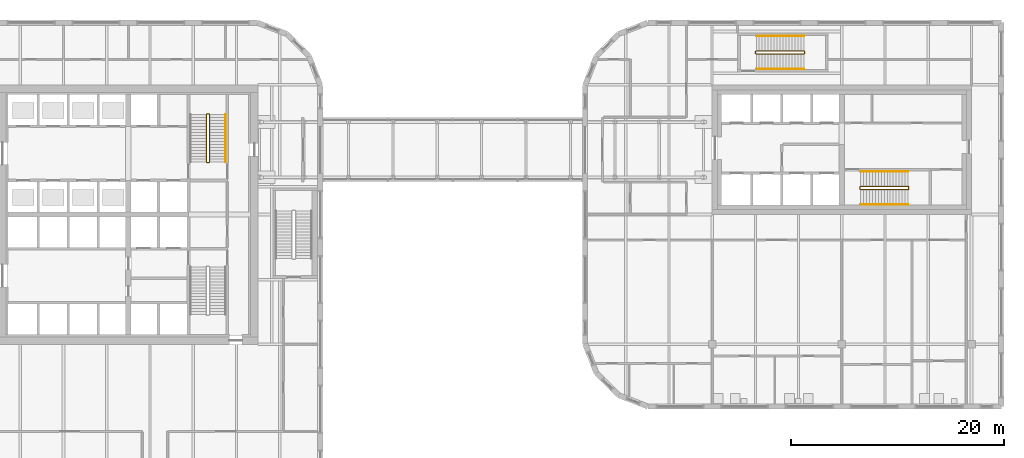
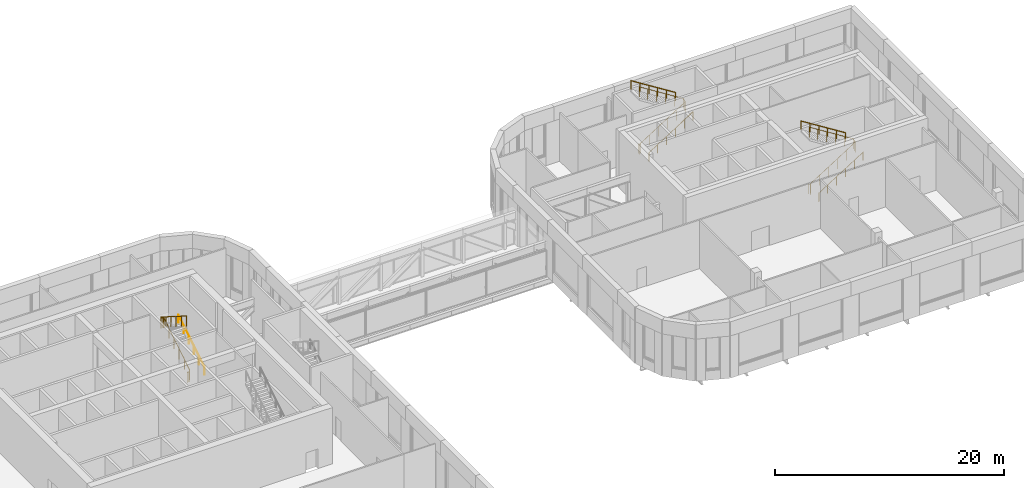
# One storey, part 34 of 36: 8 railings.
"""IFC4 building model written with IfcOpenShell, lengths in metres."""

from ifc_helpers import new_model, si_unit, direction, frame, origin, origin_2d, place, context, subcontext, project, spatial, circle, extrude, material, type_object, element, save


model = new_model("IFC4")

# Units and contexts
model_context = context("Model", 3, precision=1e-05, world=origin(), true_north=direction((0.0, 1.0)))
body_context = subcontext(model_context, "Body", "Model", "MODEL_VIEW")
ifc_project = project(units=[si_unit("LENGTHUNIT", "METRE"), si_unit("AREAUNIT", "SQUARE_METRE"), si_unit("VOLUMEUNIT", "CUBIC_METRE"), si_unit("PLANEANGLEUNIT", "RADIAN"), si_unit("MASSUNIT", "GRAM", prefix="KILO")], contexts=[model_context])

# Site, building, storey
site_placement = place(None, origin())
site = spatial("IfcSite", under=ifc_project, at=site_placement, CompositionType="ELEMENT")
building_placement = place(site_placement, origin())
building = spatial("IfcBuilding", under=site, at=building_placement, Name="Tessera Gate Towers", CompositionType="ELEMENT")
storey_placement = place(building_placement, frame((0.0, 0.0, 106.60009765625)))
storey = spatial("IfcBuildingStorey", under=building, at=storey_placement, Name="L26", CompositionType="ELEMENT", Elevation=106.60009765625)

# Railings
ifc_material_1 = material(Name="Steel 350W", Category="steel")
railing_type_1 = type_object("IfcRailingType", Name="STAIR GUARD 1100", PredefinedType="GUARDRAIL", material=ifc_material_1)
railing_1_placement = place(storey_placement, frame((50.074951171875, 41.47509765625, 0.0)))
element("IfcRailing", 1, at=railing_1_placement, inside=storey, type_object=railing_type_1, Name="L26 ST2 stair guard 1", PredefinedType="GUARDRAIL", context=body_context, shape_type="SweptSolid", body=[
    extrude(circle(Radius=0.02392578125, at=origin_2d()), frame((0.0, 0.0, 1.076171875), z_axis=(1.0, 0.0, 0.0), x_axis=(0.0, 1.0, 0.0)), (0.0, 0.0, 1.0), 0.199951171875),
    extrude(circle(Radius=0.02392578125, at=origin_2d()), frame((0.199951171875, 0.0, 1.076171875), z_axis=(0.263574319836, 0.262288591447, 0.928295897179), x_axis=(-0.705375805398, 0.708833529934, 0.0)), (0.0, 0.0, 1.0), 0.18994140625),
    extrude(circle(Radius=0.02392578125, at=origin_2d()), frame((0.25, 0.0498046875, 1.25244140625), z_axis=(0.0, 0.845977142166, 0.533219162196), x_axis=(-1.0, 0.0, 0.0)), (0.0, 0.0, 1.0), 5.295654296875),
    extrude(circle(Radius=0.02392578125, at=origin_2d()), frame((0.25, 4.52978515625, 4.076171875), z_axis=(-0.707106781187, 0.707106781187, 0.0), x_axis=(-0.707106781187, -0.707106781187, 0.0)), (0.0, 0.0, 1.0), 0.07080078125),
    extrude(circle(Radius=0.02392578125, at=origin_2d()), frame((0.199951171875, 4.579833984375, 4.076171875), z_axis=(-1.0, 0.0, 0.0), x_axis=(0.0, -1.0, 0.0)), (0.0, 0.0, 1.0), 0.199951171875),
    extrude(circle(Radius=0.02392578125, at=origin_2d()), frame((0.0, 4.579833984375, 4.076171875), z_axis=(-0.263485261471, -0.263485261471, 0.927982237963), x_axis=(0.707106781187, -0.707106781187, 0.0)), (0.0, 0.0, 1.0), 0.18994140625),
    extrude(circle(Radius=0.02392578125, at=origin_2d()), frame((-0.050048828125, 4.52978515625, 4.25244140625), z_axis=(0.0, -0.845977142166, 0.533219162196), x_axis=(1.0, 0.0, 0.0)), (0.0, 0.0, 1.0), 5.295654296875),
    extrude(circle(Radius=0.02099609375, at=origin_2d()), origin(), (0.0, 0.0, 1.0), 1.052001953125),
    extrude(circle(Radius=0.02099609375, at=origin_2d()), frame((0.199951171875, 0.0, 0.0)), (0.0, 0.0, 1.0), 1.052001953125),
    extrude(circle(Radius=0.02099609375, at=origin_2d()), frame((0.25, 0.0498046875, 0.17626953125)), (0.0, 0.0, 1.0), 1.052001953125),
    extrude(circle(Radius=0.02099609375, at=origin_2d()), frame((0.25, 0.94580078125, 0.740966796875)), (0.0, 0.0, 1.0), 1.052001953125),
    extrude(circle(Radius=0.02099609375, at=origin_2d()), frame((0.25, 1.841796875, 1.3056640625)), (0.0, 0.0, 1.0), 1.052001953125),
    extrude(circle(Radius=0.02099609375, at=origin_2d()), frame((0.25, 2.73779296875, 1.87060546875)), (0.0, 0.0, 1.0), 1.052001953125),
    extrude(circle(Radius=0.02099609375, at=origin_2d()), frame((0.25, 3.6337890625, 2.435302734375)), (0.0, 0.0, 1.0), 1.052001953125),
    extrude(circle(Radius=0.02099609375, at=origin_2d()), frame((0.25, 4.52978515625, 3.0)), (0.0, 0.0, 1.0), 1.052001953125),
    extrude(circle(Radius=0.02099609375, at=origin_2d()), frame((0.199951171875, 4.579833984375, 3.0)), (0.0, 0.0, 1.0), 1.052001953125),
    extrude(circle(Radius=0.02099609375, at=origin_2d()), frame((0.0, 4.579833984375, 3.0)), (0.0, 0.0, 1.0), 1.052001953125),
    extrude(circle(Radius=0.02099609375, at=origin_2d()), frame((-0.050048828125, 4.52978515625, 3.17626953125)), (0.0, 0.0, 1.0), 1.052001953125),
    extrude(circle(Radius=0.02099609375, at=origin_2d()), frame((-0.050048828125, 3.6337890625, 3.740966796875)), (0.0, 0.0, 1.0), 1.052001953125),
    extrude(circle(Radius=0.02099609375, at=origin_2d()), frame((-0.050048828125, 2.73779296875, 4.3056640625)), (0.0, 0.0, 1.0), 1.052001953125),
    extrude(circle(Radius=0.02099609375, at=origin_2d()), frame((-0.050048828125, 1.841796875, 4.87060546875)), (0.0, 0.0, 1.0), 1.052001953125),
    extrude(circle(Radius=0.02099609375, at=origin_2d()), frame((-0.050048828125, 0.94580078125, 5.435302734375)), (0.0, 0.0, 1.0), 1.052001953125),
    extrude(circle(Radius=0.02099609375, at=origin_2d()), frame((-0.050048828125, 0.0498046875, 6.0)), (0.0, 0.0, 1.0), 1.052001953125),
])
railing_2_placement = place(storey_placement, frame((111.5, 39.199951171875, 0.0)))
element("IfcRailing", 2, at=railing_2_placement, inside=storey, type_object=railing_type_1, Name="L26 ST6 stair guard 1", PredefinedType="GUARDRAIL", context=body_context, shape_type="SweptSolid", body=[
    extrude(circle(Radius=0.02392578125, at=origin_2d()), frame((0.0, 0.0, 1.076171875), z_axis=(0.0, -1.0, 0.0), x_axis=(1.0, 0.0, 0.0)), (0.0, 0.0, 1.0), 0.199951171875),
    extrude(circle(Radius=0.02392578125, at=origin_2d()), frame((0.0, -0.199951171875, 1.076171875), z_axis=(0.263485261471, -0.263485261471, 0.927982237963), x_axis=(0.707106781187, 0.707106781187, 0.0)), (0.0, 0.0, 1.0), 0.18994140625),
    extrude(circle(Radius=0.02392578125, at=origin_2d()), frame((0.050048828125, -0.25, 1.25244140625), z_axis=(0.845977142166, 0.0, 0.533219162196), x_axis=(0.0, 1.0, 0.0)), (0.0, 0.0, 1.0), 5.295654296875),
    extrude(circle(Radius=0.02392578125, at=origin_2d()), frame((4.530029296875, -0.25, 4.076171875), z_axis=(0.707106781187, 0.707106781187, 0.0), x_axis=(-0.707106781187, 0.707106781187, 0.0)), (0.0, 0.0, 1.0), 0.07080078125),
    extrude(circle(Radius=0.02392578125, at=origin_2d()), frame((4.580078125, -0.199951171875, 4.076171875), z_axis=(0.0, 1.0, 0.0), x_axis=(-1.0, 0.0, 0.0)), (0.0, 0.0, 1.0), 0.199951171875),
    extrude(circle(Radius=0.02392578125, at=origin_2d()), frame((4.580078125, 0.0, 4.076171875), z_axis=(-0.263485261471, 0.263485261471, 0.927982237963), x_axis=(-0.707106781187, -0.707106781187, 0.0)), (0.0, 0.0, 1.0), 0.18994140625),
    extrude(circle(Radius=0.02392578125, at=origin_2d()), frame((4.530029296875, 0.050048828125, 4.25244140625), z_axis=(-0.845977142166, 0.0, 0.533219162196), x_axis=(0.0, -1.0, 0.0)), (0.0, 0.0, 1.0), 5.295654296875),
    extrude(circle(Radius=0.02099609375, at=origin_2d()), origin(), (0.0, 0.0, 1.0), 1.052001953125),
    extrude(circle(Radius=0.02099609375, at=origin_2d()), frame((0.0, -0.199951171875, 0.0)), (0.0, 0.0, 1.0), 1.052001953125),
    extrude(circle(Radius=0.02099609375, at=origin_2d()), frame((0.050048828125, -0.25, 0.17626953125)), (0.0, 0.0, 1.0), 1.052001953125),
    extrude(circle(Radius=0.02099609375, at=origin_2d()), frame((0.946044921875, -0.25, 0.740966796875)), (0.0, 0.0, 1.0), 1.052001953125),
    extrude(circle(Radius=0.02099609375, at=origin_2d()), frame((1.842041015625, -0.25, 1.3056640625)), (0.0, 0.0, 1.0), 1.052001953125),
    extrude(circle(Radius=0.02099609375, at=origin_2d()), frame((2.738037109375, -0.25, 1.87060546875)), (0.0, 0.0, 1.0), 1.052001953125),
    extrude(circle(Radius=0.02099609375, at=origin_2d()), frame((3.634033203125, -0.25, 2.435302734375)), (0.0, 0.0, 1.0), 1.052001953125),
    extrude(circle(Radius=0.02099609375, at=origin_2d()), frame((4.530029296875, -0.25, 3.0)), (0.0, 0.0, 1.0), 1.052001953125),
    extrude(circle(Radius=0.02099609375, at=origin_2d()), frame((4.580078125, -0.199951171875, 3.0)), (0.0, 0.0, 1.0), 1.052001953125),
    extrude(circle(Radius=0.02099609375, at=origin_2d()), frame((4.580078125, 0.0, 3.0)), (0.0, 0.0, 1.0), 1.052001953125),
    extrude(circle(Radius=0.02099609375, at=origin_2d()), frame((4.530029296875, 0.050048828125, 3.17626953125)), (0.0, 0.0, 1.0), 1.052001953125),
    extrude(circle(Radius=0.02099609375, at=origin_2d()), frame((3.634033203125, 0.050048828125, 3.740966796875)), (0.0, 0.0, 1.0), 1.052001953125),
    extrude(circle(Radius=0.02099609375, at=origin_2d()), frame((2.738037109375, 0.050048828125, 4.3056640625)), (0.0, 0.0, 1.0), 1.052001953125),
    extrude(circle(Radius=0.02099609375, at=origin_2d()), frame((1.842041015625, 0.050048828125, 4.87060546875)), (0.0, 0.0, 1.0), 1.052001953125),
    extrude(circle(Radius=0.02099609375, at=origin_2d()), frame((0.946044921875, 0.050048828125, 5.435302734375)), (0.0, 0.0, 1.0), 1.052001953125),
    extrude(circle(Radius=0.02099609375, at=origin_2d()), frame((0.050048828125, 0.050048828125, 6.0)), (0.0, 0.0, 1.0), 1.052001953125),
])
railing_3_placement = place(storey_placement, frame((101.699951171875, 51.949951171875, 0.0)))
element("IfcRailing", 3, at=railing_3_placement, inside=storey, type_object=railing_type_1, Name="L26 ST7 stair guard 1", PredefinedType="GUARDRAIL", context=body_context, shape_type="SweptSolid", body=[
    extrude(circle(Radius=0.02392578125, at=origin_2d()), frame((0.0, 0.0, 1.076171875), z_axis=(0.0, -1.0, 0.0), x_axis=(1.0, 0.0, 0.0)), (0.0, 0.0, 1.0), 0.199951171875),
    extrude(circle(Radius=0.02392578125, at=origin_2d()), frame((0.0, -0.199951171875, 1.076171875), z_axis=(0.263485261471, -0.263485261471, 0.927982237963), x_axis=(0.707106781187, 0.707106781187, 0.0)), (0.0, 0.0, 1.0), 0.18994140625),
    extrude(circle(Radius=0.02392578125, at=origin_2d()), frame((0.050048828125, -0.25, 1.25244140625), z_axis=(0.845977142166, 0.0, 0.533219162196), x_axis=(0.0, 1.0, 0.0)), (0.0, 0.0, 1.0), 5.295654296875),
    extrude(circle(Radius=0.02392578125, at=origin_2d()), frame((4.530029296875, -0.25, 4.076171875), z_axis=(0.707106781187, 0.707106781187, 0.0), x_axis=(-0.707106781187, 0.707106781187, 0.0)), (0.0, 0.0, 1.0), 0.07080078125),
    extrude(circle(Radius=0.02392578125, at=origin_2d()), frame((4.580078125, -0.199951171875, 4.076171875), z_axis=(0.0, 1.0, 0.0), x_axis=(-1.0, 0.0, 0.0)), (0.0, 0.0, 1.0), 0.199951171875),
    extrude(circle(Radius=0.02392578125, at=origin_2d()), frame((4.580078125, 0.0, 4.076171875), z_axis=(-0.263485261471, 0.263485261471, 0.927982237963), x_axis=(-0.707106781187, -0.707106781187, 0.0)), (0.0, 0.0, 1.0), 0.18994140625),
    extrude(circle(Radius=0.02392578125, at=origin_2d()), frame((4.530029296875, 0.050048828125, 4.25244140625), z_axis=(-0.845977142166, 0.0, 0.533219162196), x_axis=(0.0, -1.0, 0.0)), (0.0, 0.0, 1.0), 5.295654296875),
    extrude(circle(Radius=0.02099609375, at=origin_2d()), origin(), (0.0, 0.0, 1.0), 1.052001953125),
    extrude(circle(Radius=0.02099609375, at=origin_2d()), frame((0.0, -0.199951171875, 0.0)), (0.0, 0.0, 1.0), 1.052001953125),
    extrude(circle(Radius=0.02099609375, at=origin_2d()), frame((0.050048828125, -0.25, 0.17626953125)), (0.0, 0.0, 1.0), 1.052001953125),
    extrude(circle(Radius=0.02099609375, at=origin_2d()), frame((0.946044921875, -0.25, 0.740966796875)), (0.0, 0.0, 1.0), 1.052001953125),
    extrude(circle(Radius=0.02099609375, at=origin_2d()), frame((1.842041015625, -0.25, 1.3056640625)), (0.0, 0.0, 1.0), 1.052001953125),
    extrude(circle(Radius=0.02099609375, at=origin_2d()), frame((2.738037109375, -0.25, 1.87060546875)), (0.0, 0.0, 1.0), 1.052001953125),
    extrude(circle(Radius=0.02099609375, at=origin_2d()), frame((3.634033203125, -0.25, 2.435302734375)), (0.0, 0.0, 1.0), 1.052001953125),
    extrude(circle(Radius=0.02099609375, at=origin_2d()), frame((4.530029296875, -0.25, 3.0)), (0.0, 0.0, 1.0), 1.052001953125),
    extrude(circle(Radius=0.02099609375, at=origin_2d()), frame((4.580078125, -0.199951171875, 3.0)), (0.0, 0.0, 1.0), 1.052001953125),
    extrude(circle(Radius=0.02099609375, at=origin_2d()), frame((4.580078125, 0.0, 3.0)), (0.0, 0.0, 1.0), 1.052001953125),
    extrude(circle(Radius=0.02099609375, at=origin_2d()), frame((4.530029296875, 0.050048828125, 3.17626953125)), (0.0, 0.0, 1.0), 1.052001953125),
    extrude(circle(Radius=0.02099609375, at=origin_2d()), frame((3.634033203125, 0.050048828125, 3.740966796875)), (0.0, 0.0, 1.0), 1.052001953125),
    extrude(circle(Radius=0.02099609375, at=origin_2d()), frame((2.738037109375, 0.050048828125, 4.3056640625)), (0.0, 0.0, 1.0), 1.052001953125),
    extrude(circle(Radius=0.02099609375, at=origin_2d()), frame((1.842041015625, 0.050048828125, 4.87060546875)), (0.0, 0.0, 1.0), 1.052001953125),
    extrude(circle(Radius=0.02099609375, at=origin_2d()), frame((0.946044921875, 0.050048828125, 5.435302734375)), (0.0, 0.0, 1.0), 1.052001953125),
    extrude(circle(Radius=0.02099609375, at=origin_2d()), frame((0.050048828125, 0.050048828125, 6.0)), (0.0, 0.0, 1.0), 1.052001953125),
])
ifc_material_2 = material(Name="Steel 350W", Category="steel")
railing_type_2 = type_object("IfcRailingType", Name="STAIR HANDRAIL 900", PredefinedType="HANDRAIL", material=ifc_material_2)
railing_4_placement = place(storey_placement, frame((51.824951171875, 41.52490234375, 0.17626953125)))
element("IfcRailing", 4, at=railing_4_placement, inside=storey, type_object=railing_type_2, Name="L26 ST2 stair handrail 1", PredefinedType="HANDRAIL", context=body_context, shape_type="SweptSolid", body=[
    extrude(circle(Radius=0.02392578125, at=origin_2d()), frame((0.0, 0.0, 0.8759765625), z_axis=(0.0, 0.845977142166, 0.533219162196), x_axis=(-1.0, 0.0, 0.0)), (0.0, 0.0, 1.0), 5.295654296875),
    extrude(circle(Radius=0.02099609375, at=origin_2d()), origin(), (0.0, 0.0, 1.0), 0.851806640625),
    extrude(circle(Radius=0.02099609375, at=origin_2d()), frame((0.0, 0.89599609375, 0.564697265625)), (0.0, 0.0, 1.0), 0.851806640625),
    extrude(circle(Radius=0.02099609375, at=origin_2d()), frame((0.0, 1.7919921875, 1.12939453125)), (0.0, 0.0, 1.0), 0.851806640625),
    extrude(circle(Radius=0.02099609375, at=origin_2d()), frame((0.0, 2.68798828125, 1.6943359375)), (0.0, 0.0, 1.0), 0.851806640625),
    extrude(circle(Radius=0.02099609375, at=origin_2d()), frame((0.0, 3.583984375, 2.259033203125)), (0.0, 0.0, 1.0), 0.851806640625),
    extrude(circle(Radius=0.02099609375, at=origin_2d()), frame((0.0, 4.47998046875, 2.82373046875)), (0.0, 0.0, 1.0), 0.851806640625),
])
railing_5_placement = place(storey_placement, frame((111.550048828125, 37.550048828125, 0.17626953125)))
element("IfcRailing", 5, at=railing_5_placement, inside=storey, type_object=railing_type_2, Name="L26 ST6 stair handrail 1", PredefinedType="HANDRAIL", context=body_context, shape_type="SweptSolid", body=[
    extrude(circle(Radius=0.02392578125, at=origin_2d()), frame((0.0, 0.0, 0.8759765625), z_axis=(0.845977142166, 0.0, 0.533219162196), x_axis=(0.0, 1.0, 0.0)), (0.0, 0.0, 1.0), 5.295654296875),
    extrude(circle(Radius=0.02099609375, at=origin_2d()), origin(), (0.0, 0.0, 1.0), 0.851806640625),
    extrude(circle(Radius=0.02099609375, at=origin_2d()), frame((0.89599609375, 0.0, 0.564697265625)), (0.0, 0.0, 1.0), 0.851806640625),
    extrude(circle(Radius=0.02099609375, at=origin_2d()), frame((1.7919921875, 0.0, 1.12939453125)), (0.0, 0.0, 1.0), 0.851806640625),
    extrude(circle(Radius=0.02099609375, at=origin_2d()), frame((2.68798828125, 0.0, 1.6943359375)), (0.0, 0.0, 1.0), 0.851806640625),
    extrude(circle(Radius=0.02099609375, at=origin_2d()), frame((3.583984375, 0.0, 2.259033203125)), (0.0, 0.0, 1.0), 0.851806640625),
    extrude(circle(Radius=0.02099609375, at=origin_2d()), frame((4.47998046875, 0.0, 2.82373046875)), (0.0, 0.0, 1.0), 0.851806640625),
])
railing_6_placement = place(storey_placement, frame((116.030029296875, 40.64990234375, 3.17626953125)))
element("IfcRailing", 6, at=railing_6_placement, inside=storey, type_object=railing_type_2, Name="L26 ST6 stair handrail 2", PredefinedType="HANDRAIL", context=body_context, shape_type="SweptSolid", body=[
    extrude(circle(Radius=0.02392578125, at=origin_2d()), frame((0.0, 0.0, 0.8759765625), z_axis=(-0.845977142166, 0.0, 0.533219162196), x_axis=(0.0, -1.0, 0.0)), (0.0, 0.0, 1.0), 5.295654296875),
    extrude(circle(Radius=0.02099609375, at=origin_2d()), origin(), (0.0, 0.0, 1.0), 0.851806640625),
    extrude(circle(Radius=0.02099609375, at=origin_2d()), frame((-0.89599609375, 0.0, 0.564697265625)), (0.0, 0.0, 1.0), 0.851806640625),
    extrude(circle(Radius=0.02099609375, at=origin_2d()), frame((-1.7919921875, 0.0, 1.12939453125)), (0.0, 0.0, 1.0), 0.851806640625),
    extrude(circle(Radius=0.02099609375, at=origin_2d()), frame((-2.68798828125, 0.0, 1.6943359375)), (0.0, 0.0, 1.0), 0.851806640625),
    extrude(circle(Radius=0.02099609375, at=origin_2d()), frame((-3.583984375, 0.0, 2.259033203125)), (0.0, 0.0, 1.0), 0.851806640625),
    extrude(circle(Radius=0.02099609375, at=origin_2d()), frame((-4.47998046875, 0.0, 2.82373046875)), (0.0, 0.0, 1.0), 0.851806640625),
])
railing_7_placement = place(storey_placement, frame((101.75, 50.300048828125, 0.17626953125)))
element("IfcRailing", 7, at=railing_7_placement, inside=storey, type_object=railing_type_2, Name="L26 ST7 stair handrail 1", PredefinedType="HANDRAIL", context=body_context, shape_type="SweptSolid", body=[
    extrude(circle(Radius=0.02392578125, at=origin_2d()), frame((0.0, 0.0, 0.8759765625), z_axis=(0.845977142166, 0.0, 0.533219162196), x_axis=(0.0, 1.0, 0.0)), (0.0, 0.0, 1.0), 5.295654296875),
    extrude(circle(Radius=0.02099609375, at=origin_2d()), origin(), (0.0, 0.0, 1.0), 0.851806640625),
    extrude(circle(Radius=0.02099609375, at=origin_2d()), frame((0.89599609375, 0.0, 0.564697265625)), (0.0, 0.0, 1.0), 0.851806640625),
    extrude(circle(Radius=0.02099609375, at=origin_2d()), frame((1.7919921875, 0.0, 1.12939453125)), (0.0, 0.0, 1.0), 0.851806640625),
    extrude(circle(Radius=0.02099609375, at=origin_2d()), frame((2.68798828125, 0.0, 1.6943359375)), (0.0, 0.0, 1.0), 0.851806640625),
    extrude(circle(Radius=0.02099609375, at=origin_2d()), frame((3.583984375, 0.0, 2.259033203125)), (0.0, 0.0, 1.0), 0.851806640625),
    extrude(circle(Radius=0.02099609375, at=origin_2d()), frame((4.47998046875, 0.0, 2.82373046875)), (0.0, 0.0, 1.0), 0.851806640625),
])
railing_8_placement = place(storey_placement, frame((106.22998046875, 53.39990234375, 3.17626953125)))
element("IfcRailing", 8, at=railing_8_placement, inside=storey, type_object=railing_type_2, Name="L26 ST7 stair handrail 2", PredefinedType="HANDRAIL", context=body_context, shape_type="SweptSolid", body=[
    extrude(circle(Radius=0.02392578125, at=origin_2d()), frame((0.0, 0.0, 0.8759765625), z_axis=(-0.845977142166, 0.0, 0.533219162196), x_axis=(0.0, -1.0, 0.0)), (0.0, 0.0, 1.0), 5.295654296875),
    extrude(circle(Radius=0.02099609375, at=origin_2d()), origin(), (0.0, 0.0, 1.0), 0.851806640625),
    extrude(circle(Radius=0.02099609375, at=origin_2d()), frame((-0.89599609375, 0.0, 0.564697265625)), (0.0, 0.0, 1.0), 0.851806640625),
    extrude(circle(Radius=0.02099609375, at=origin_2d()), frame((-1.7919921875, 0.0, 1.12939453125)), (0.0, 0.0, 1.0), 0.851806640625),
    extrude(circle(Radius=0.02099609375, at=origin_2d()), frame((-2.68798828125, 0.0, 1.6943359375)), (0.0, 0.0, 1.0), 0.851806640625),
    extrude(circle(Radius=0.02099609375, at=origin_2d()), frame((-3.583984375, 0.0, 2.259033203125)), (0.0, 0.0, 1.0), 0.851806640625),
    extrude(circle(Radius=0.02099609375, at=origin_2d()), frame((-4.47998046875, 0.0, 2.82373046875)), (0.0, 0.0, 1.0), 0.851806640625),
])

save(model, "model.ifc")
